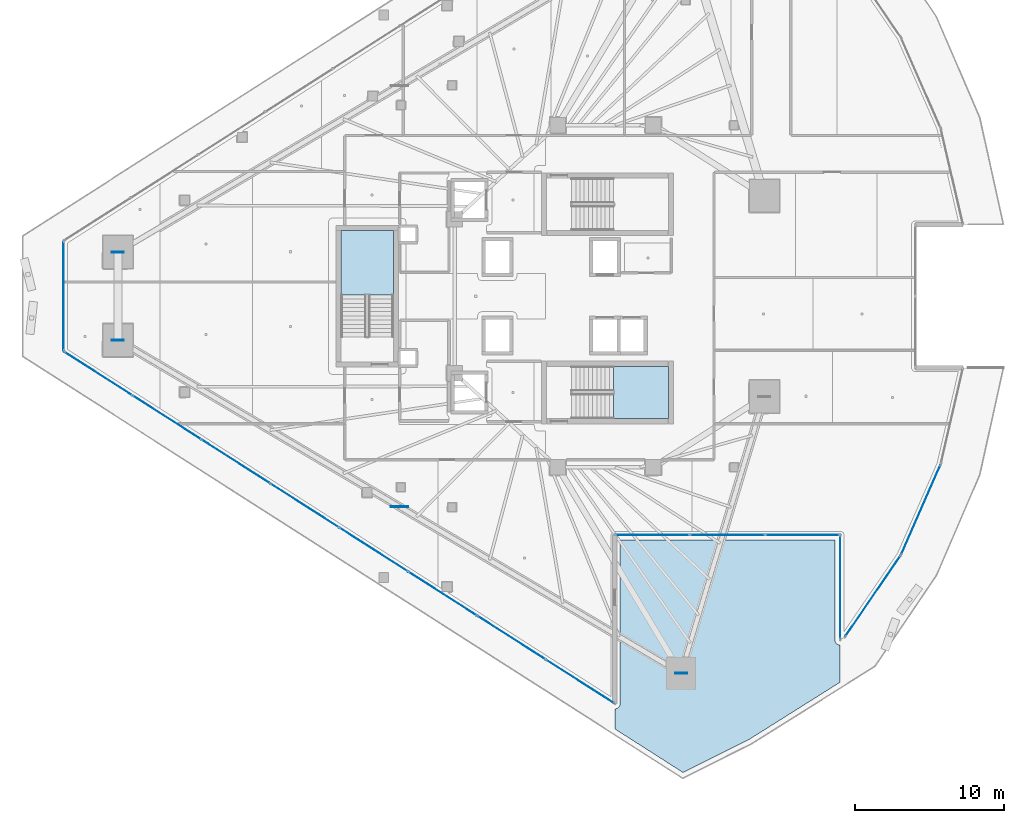
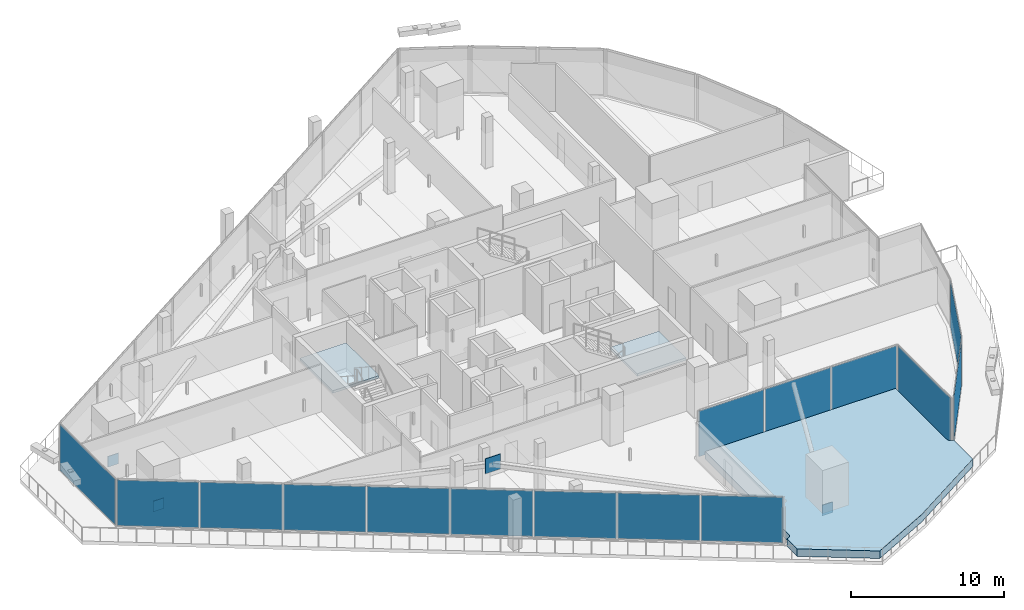
# One storey, part 28 of 43: 19 plates, 3 slabs, 8 elements without a shape of their own.
"""IFC4 building model written with IfcOpenShell, lengths in metres."""

import ifcopenshell
import ifcopenshell.guid

model = None  # the IFC model being written
_history = None  # IfcOwnerHistory: only IFC2X3 demands one
_inside = {}  # id of a spatial element -> (the spatial element, [elements in it])
_under = {}  # id of a project, library or spatial element -> (it, [spatial elements below it])
_declared = {}  # id of a project -> (the project, [libraries it declares])
_typed = {}  # id of a type object -> (the type object, [elements of that type])
_made_of = {}  # id of a material, layer set ... -> (it, [elements and type objects made of it])


def new_model(schema):
    """Start an empty IFC model of exactly this schema.

    Asked for "IFC4X3", IfcOpenShell would pick the latest addendum, in which some entities
    have other attributes; the version numbers below select the first issue.
    IFC2X3 requires an IfcOwnerHistory on every rooted entity: one is made here for all.
    """
    global model, _history
    if schema == "IFC4X3":
        model = ifcopenshell.file(schema_version=(4, 3, 0, 0))
    else:
        model = ifcopenshell.file(schema=schema)
    _inside.clear()
    _under.clear()
    _declared.clear()
    _typed.clear()
    _made_of.clear()
    _history = None
    if model.schema == "IFC2X3":
        org = make("IfcOrganization", Name="unknown")
        user = make(
            "IfcPersonAndOrganization",
            ThePerson=make("IfcPerson", FamilyName="unknown"),
            TheOrganization=org,
        )
        app = make(
            "IfcApplication",
            ApplicationDeveloper=org,
            Version="unknown",
            ApplicationFullName="unknown",
            ApplicationIdentifier="unknown",
        )
        _history = make(
            "IfcOwnerHistory",
            OwningUser=user,
            OwningApplication=app,
            ChangeAction="ADDED",
            CreationDate=0,
        )
    return model


def make(cls, **values):
    """One entity of the class cls with the attributes given. An attribute that is None is left unset."""
    return model.create_entity(
        cls, **{name: value for name, value in values.items() if value is not None}
    )


def rooted(cls, **values):
    """An entity with a GlobalId (a new one), such as an element, a storey or a relation."""
    return make(cls, GlobalId=ifcopenshell.guid.new(), OwnerHistory=_history, **values)


def si_unit(unit_type, name, prefix=None):
    """IfcSIUnit, for example si_unit("LENGTHUNIT", "METRE", prefix="MILLI")."""
    return make("IfcSIUnit", UnitType=unit_type, Prefix=prefix, Name=name)


def assignment(units):
    """IfcUnitAssignment: the units of a project."""
    return None if units is None else make("IfcUnitAssignment", Units=units)


def point(xyz):
    """IfcCartesianPoint."""
    return None if xyz is None else make("IfcCartesianPoint", Coordinates=xyz)


def direction(xyz):
    """IfcDirection."""
    return None if xyz is None else make("IfcDirection", DirectionRatios=xyz)


def frame(location, z_axis=None, x_axis=None):
    """IfcAxis2Placement3D, a coordinate frame: its origin and axes. An axis left out is left unset."""
    return make(
        "IfcAxis2Placement3D",
        Location=point(location),
        Axis=direction(z_axis),
        RefDirection=direction(x_axis),
    )


def frame_2d(location, x_axis=None):
    """IfcAxis2Placement2D, a coordinate frame in the plane: its origin and x axis."""
    return make(
        "IfcAxis2Placement2D", Location=point(location), RefDirection=direction(x_axis)
    )


def origin():
    """The frame at (0, 0, 0) with its axes left unset."""
    return frame((0.0, 0.0, 0.0))


def origin_2d():
    """The frame at (0, 0) in the plane with its x axis left unset."""
    return frame_2d((0.0, 0.0))


def place(relative_to, where):
    """IfcLocalPlacement: puts the frame where relative to a parent placement (None: the world)."""
    return make(
        "IfcLocalPlacement", PlacementRelTo=relative_to, RelativePlacement=where
    )


def context(
    kind, dimensions, precision=None, world=None, true_north=None, identifier=None
):
    """IfcGeometricRepresentationContext, for example the 3D "Model" context."""
    return make(
        "IfcGeometricRepresentationContext",
        ContextIdentifier=identifier,
        ContextType=kind,
        CoordinateSpaceDimension=dimensions,
        Precision=precision,
        WorldCoordinateSystem=world,
        TrueNorth=true_north,
    )


def subcontext(parent, identifier, kind, view, scale=None):
    """IfcGeometricRepresentationSubContext, for example "Body" below "Model"."""
    return make(
        "IfcGeometricRepresentationSubContext",
        ContextIdentifier=identifier,
        ContextType=kind,
        ParentContext=parent,
        TargetScale=scale,
        TargetView=view,
    )


def project(units=None, contexts=None):
    """IfcProject with its units and contexts."""
    return rooted(
        "IfcProject",
        Name="project",
        RepresentationContexts=contexts,
        UnitsInContext=assignment(units),
    )


def spatial(cls, under=None, at=None, **own):
    """A site, building, storey or space (cls), placed at a placement, below another one or the project."""
    s = rooted(cls, ObjectPlacement=at, **own)
    if under is not None:
        _under.setdefault(under.id(), (under, []))[1].append(s)
    return s


def polyline(points):
    """IfcPolyline through the points."""
    return make("IfcPolyline", Points=[point(p) for p in points])


def profile(cls, at=None, kind="AREA", **sizes):
    """A parametric profile (cls). Its sizes go by their IFC names, for example OverallWidth=200.0."""
    return make(cls, ProfileType=kind, Position=at, **sizes)


def rectangle(**sizes):
    """IfcRectangleProfileDef."""
    return profile("IfcRectangleProfileDef", **sizes)


def outline(outer, holes=None, kind="AREA"):
    """IfcArbitraryClosedProfileDef: a profile drawn as a closed curve; with holes, ...WithVoids."""
    if holes is None:
        return make("IfcArbitraryClosedProfileDef", ProfileType=kind, OuterCurve=outer)
    return make(
        "IfcArbitraryProfileDefWithVoids",
        ProfileType=kind,
        OuterCurve=outer,
        InnerCurves=holes,
    )


def extrude(swept, where, along, depth):
    """IfcExtrudedAreaSolid: the profile swept, set in the frame where, extruded along a direction by depth."""
    return make(
        "IfcExtrudedAreaSolid",
        SweptArea=swept,
        Position=where,
        ExtrudedDirection=direction(along),
        Depth=depth,
    )


def shape(context_of_items, identifier, shape_type, items):
    """IfcShapeRepresentation: the items that make up one representation, for example the "Body"."""
    return make(
        "IfcShapeRepresentation",
        ContextOfItems=context_of_items,
        RepresentationIdentifier=identifier,
        RepresentationType=shape_type,
        Items=items,
    )


def material(Name=None, Category=None):
    """IfcMaterial."""
    return make("IfcMaterial", Name=Name, Category=Category)


def layer(
    of_material, thickness, ventilated=None, Name=None, Category=None, Priority=None
):
    """IfcMaterialLayer: one layer of a wall or slab, of a material (None: an air gap)."""
    return make(
        "IfcMaterialLayer",
        Material=of_material,
        LayerThickness=thickness,
        IsVentilated=ventilated,
        Name=Name,
        Category=Category,
        Priority=Priority,
    )


def layer_set(layers, Name=None):
    """IfcMaterialLayerSet."""
    return make("IfcMaterialLayerSet", MaterialLayers=layers, LayerSetName=Name)


def made_of(thing, what):
    """Note that an element or type object is made of a material, layer set ...; save() writes the relation."""
    if what is not None:
        _made_of.setdefault(what.id(), (what, []))[1].append(thing)
    return thing


def type_object(cls, material=None, **own):
    """A type object (cls), such as IfcWallType, which elements share."""
    return made_of(rooted(cls, **own), material)


def element(
    cls,
    number,
    at=None,
    inside=None,
    cuts=None,
    type_object=None,
    material=None,
    context=None,
    identifier="Body",
    shape_type=None,
    held_by="IfcProductDefinitionShape",
    body=None,
    shapes=None,
    **own,
):
    """One element of the class cls, such as IfcWall. Its Tag is "e" and its number.

    at: its placement. inside: the storey or other place that contains it. cuts: it is an
    opening in that element (IfcRelVoidsElement). A single representation is given by context,
    identifier, shape_type and body (its items); several are given by shapes. held_by: the class
    of the entity that holds the representations. save() writes the other relations.
    """
    e = rooted(cls, Tag="e%d" % number, ObjectPlacement=at, **own)
    if body is not None:
        shapes = [shape(context, identifier, shape_type, body)]
    if shapes is not None:
        e.Representation = make(held_by, Representations=shapes)
    if inside is not None:
        _inside.setdefault(inside.id(), (inside, []))[1].append(e)
    if cuts is not None:
        rooted(
            "IfcRelVoidsElement", RelatingBuildingElement=cuts, RelatedOpeningElement=e
        )
    if type_object is not None:
        _typed.setdefault(type_object.id(), (type_object, []))[1].append(e)
    return made_of(e, material)


def aggregate(whole, parts):
    """IfcRelAggregates: a whole, such as a stair, and the parts it consists of."""
    return rooted("IfcRelAggregates", RelatingObject=whole, RelatedObjects=parts)


def save(model, path):
    """Write the relations noted so far, then the file.

    IfcRelAggregates (storeys below a building ...), IfcRelContainedInSpatialStructure (elements
    in a storey), IfcRelDefinesByType, IfcRelAssociatesMaterial and IfcRelDeclares: one each for
    every whole, place, type object, material and project.
    """
    for whole, parts in _under.values():
        aggregate(whole, parts)
    for where, things in _inside.values():
        rooted(
            "IfcRelContainedInSpatialStructure",
            RelatedElements=things,
            RelatingStructure=where,
        )
    for kind, things in _typed.values():
        rooted("IfcRelDefinesByType", RelatedObjects=things, RelatingType=kind)
    for what, things in _made_of.values():
        rooted("IfcRelAssociatesMaterial", RelatedObjects=things, RelatingMaterial=what)
    for by, libraries in _declared.values():
        rooted("IfcRelDeclares", RelatingContext=by, RelatedDefinitions=libraries)
    model.write(path)


model = new_model("IFC4")

# Units and contexts
model_context = context("Model", 3, precision=1e-05, world=origin(), true_north=direction((0.0, 1.0)))
body_context = subcontext(model_context, "Body", "Model", "MODEL_VIEW")
ifc_project = project(units=[si_unit("LENGTHUNIT", "METRE"), si_unit("AREAUNIT", "SQUARE_METRE"), si_unit("VOLUMEUNIT", "CUBIC_METRE"), si_unit("PLANEANGLEUNIT", "RADIAN"), si_unit("MASSUNIT", "GRAM", prefix="KILO")], contexts=[model_context])

# Site, building, storey
site_placement = place(None, origin())
site = spatial("IfcSite", under=ifc_project, at=site_placement, CompositionType="ELEMENT")
building_placement = place(site_placement, origin())
building = spatial("IfcBuilding", under=site, at=building_placement, Name="Qorvath Tower", CompositionType="ELEMENT")
storey_placement = place(building_placement, frame((0.0, 0.0, 150.300048828125)))
storey = spatial("IfcBuildingStorey", under=building, at=storey_placement, Name="L34", CompositionType="ELEMENT", Elevation=150.300048828125)

# Curtain wall, plates
ifc_material_1 = material(Name="Anodised aluminium and triple low-E glass", Category="aluminium")
ifc_layer_1 = layer(ifc_material_1, 0.179931640625)
ifc_layer_set_1 = layer_set([ifc_layer_1], Name="CW-SYS-5")
curtain_wall_type = type_object("IfcCurtainWallType", Name="CW-SYS-5", PredefinedType="NOTDEFINED", material=ifc_layer_set_1)
curtain_wall_1_placement = place(storey_placement, origin())
curtain_wall_1 = element("IfcCurtainWall", 1, at=curtain_wall_1_placement, inside=storey, type_object=curtain_wall_type, Name="Curtain Wall CW-5 CW-T-L34-2.1", PredefinedType="NOTDEFINED")
ifc_material_2 = material(Name="Low-E triple insulated glass", Category="glass")
ifc_layer_2 = layer(ifc_material_2, 0.031982421875)
ifc_layer_set_2 = layer_set([ifc_layer_2], Name="CWP-GLZ-32")
plate_type_1 = type_object("IfcPlateType", Name="CWP-GLZ-32", PredefinedType="CURTAIN_PANEL", material=ifc_layer_set_2)
plate_1_placement = place(storey_placement, frame((-17.249267578125, -15.98388671875, 0.06494140625), z_axis=(0.0, 0.0, 1.0), x_axis=(1.0, 0.0, 0.0)))
plate_1 = element("IfcPlate", 2, at=plate_1_placement, type_object=plate_type_1, Name="CW-5 panel 1.1", PredefinedType="CURTAIN_PANEL", context=body_context, shape_type="SweptSolid", body=[
    extrude(rectangle(XDim=4.91943359375, YDim=0.031982421875, at=origin_2d()), origin(), (0.0, 0.0, 1.0), 3.650146484375),
])
plate_2_placement = place(storey_placement, frame((-12.23583984375, -15.98388671875, 0.06494140625), z_axis=(0.0, 0.0, 1.0), x_axis=(1.0, 0.0, 0.0)))
plate_2 = element("IfcPlate", 3, at=plate_2_placement, type_object=plate_type_1, Name="CW-5 panel 2.1", PredefinedType="CURTAIN_PANEL", context=body_context, shape_type="SweptSolid", body=[
    extrude(rectangle(XDim=4.95703125, YDim=0.031982421875, at=origin_2d()), origin(), (0.0, 0.0, 1.0), 3.650146484375),
])
plate_3_placement = place(storey_placement, frame((-7.22265625, -15.98388671875, 0.06494140625), z_axis=(0.0, 0.0, 1.0), x_axis=(1.0, 0.0, 0.0)))
plate_3 = element("IfcPlate", 4, at=plate_3_placement, type_object=plate_type_1, Name="CW-5 panel 3.1", PredefinedType="CURTAIN_PANEL", context=body_context, shape_type="SweptSolid", body=[
    extrude(rectangle(XDim=4.91943359375, YDim=0.031982421875, at=origin_2d()), origin(), (0.0, 0.0, 1.0), 3.650146484375),
])
aggregate(curtain_wall_1, [plate_1, plate_2, plate_3])

# Curtain wall, plate
curtain_wall_2_placement = place(storey_placement, origin())
curtain_wall_2 = element("IfcCurtainWall", 5, at=curtain_wall_2_placement, inside=storey, type_object=curtain_wall_type, Name="Curtain Wall CW-5 CW-T-L34-3.1", PredefinedType="NOTDEFINED")
plate_4_placement = place(storey_placement, frame((-4.68798828125, -19.498779296875, 0.06494140625), z_axis=(0.0, 0.0, 1.0), x_axis=(0.0, -1.0, 0.0)))
plate_4 = element("IfcPlate", 6, at=plate_4_placement, type_object=plate_type_1, Name="CW-5 panel 1.1", PredefinedType="CURTAIN_PANEL", context=body_context, shape_type="SweptSolid", body=[
    extrude(rectangle(XDim=6.8798828125, YDim=0.031982421875, at=origin_2d()), origin(), (0.0, 0.0, 1.0), 3.650146484375),
])
aggregate(curtain_wall_2, [plate_4])

curtain_wall_3_placement = place(storey_placement, origin())
curtain_wall_3 = element("IfcCurtainWall", 7, at=curtain_wall_3_placement, inside=storey, type_object=curtain_wall_type, Name="Curtain Wall CW-5 CW-T-L34-5.1", PredefinedType="NOTDEFINED")
plate_5_placement = place(storey_placement, frame((-2.500732421875, -20.07763671875, 0.06494140625), z_axis=(0.0, 0.0, 1.0), x_axis=(0.564284140416, 0.825580649528, 0.0)))
plate_5 = element("IfcPlate", 8, at=plate_5_placement, type_object=plate_type_1, Name="CW-5 panel 1.1", PredefinedType="CURTAIN_PANEL", context=body_context, shape_type="SweptSolid", body=[
    extrude(rectangle(XDim=6.48681640625, YDim=0.031982421875, at=origin_2d()), origin(), (0.0, 0.0, 1.0), 3.650146484375),
])
aggregate(curtain_wall_3, [plate_5])

curtain_wall_4_placement = place(storey_placement, origin())
curtain_wall_4 = element("IfcCurtainWall", 9, at=curtain_wall_4_placement, inside=storey, type_object=curtain_wall_type, Name="Curtain Wall CW-5 CW-T-L34-6.1", PredefinedType="NOTDEFINED")
plate_6_placement = place(storey_placement, frame((0.70556640625, -14.299560546875, 0.06494140625), z_axis=(0.0, 0.0, 1.0), x_axis=(0.401902246365, 0.91568257839, 0.0)))
plate_6 = element("IfcPlate", 10, at=plate_6_placement, type_object=plate_type_1, Name="CW-5 panel 1.1", PredefinedType="CURTAIN_PANEL", context=body_context, shape_type="SweptSolid", body=[
    extrude(rectangle(XDim=6.486572265625, YDim=0.031982421875, at=origin_2d()), origin(), (0.0, 0.0, 1.0), 3.650146484375),
])
aggregate(curtain_wall_4, [plate_6])

curtain_wall_5_placement = place(storey_placement, origin())
curtain_wall_5 = element("IfcCurtainWall", 11, at=curtain_wall_5_placement, inside=storey, type_object=curtain_wall_type, Name="Curtain Wall CW-5 CW-T-L34-17.1", PredefinedType="NOTDEFINED")
plate_7_placement = place(storey_placement, frame((-56.683837890625, 0.0, 0.06494140625), z_axis=(0.0, 0.0, 1.0), x_axis=(0.0, -1.0, 0.0)))
plate_7 = element("IfcPlate", 12, at=plate_7_placement, type_object=plate_type_1, Name="CW-5 panel 1.1", PredefinedType="CURTAIN_PANEL", context=body_context, shape_type="SweptSolid", body=[
    extrude(rectangle(XDim=7.256103515625, YDim=0.031982421875, at=origin_2d()), origin(), (0.0, 0.0, 1.0), 3.650146484375),
])
aggregate(curtain_wall_5, [plate_7])

# Curtain wall, plates
curtain_wall_6_placement = place(storey_placement, origin())
curtain_wall_6 = element("IfcCurtainWall", 13, at=curtain_wall_6_placement, inside=storey, type_object=curtain_wall_type, Name="Curtain Wall CW-5 CW-T-L34-18.1", PredefinedType="NOTDEFINED")
plate_8_placement = place(storey_placement, frame((-54.36181640625, -5.187255859375, 0.06494140625), z_axis=(0.0, 0.0, 1.0), x_axis=(0.842602343989, -0.538536247531, 0.0)))
plate_8 = element("IfcPlate", 14, at=plate_8_placement, type_object=plate_type_1, Name="CW-5 panel 1.1", PredefinedType="CURTAIN_PANEL", context=body_context, shape_type="SweptSolid", body=[
    extrude(rectangle(XDim=5.361572265625, YDim=0.031982421875, at=origin_2d()), origin(), (0.0, 0.0, 1.0), 3.650146484375),
])
plate_9_placement = place(storey_placement, frame((-49.76513671875, -8.125, 0.06494140625), z_axis=(0.0, 0.0, 1.0), x_axis=(0.842602343989, -0.538536247531, 0.0)))
plate_9 = element("IfcPlate", 15, at=plate_9_placement, type_object=plate_type_1, Name="CW-5 panel 2.1", PredefinedType="CURTAIN_PANEL", context=body_context, shape_type="SweptSolid", body=[
    extrude(rectangle(XDim=5.399169921875, YDim=0.031982421875, at=origin_2d()), origin(), (0.0, 0.0, 1.0), 3.650146484375),
])
plate_10_placement = place(storey_placement, frame((-45.152587890625, -11.072998046875, 0.06494140625), z_axis=(0.0, 0.0, 1.0), x_axis=(0.842602343989, -0.538536247531, 0.0)))
plate_10 = element("IfcPlate", 16, at=plate_10_placement, type_object=plate_type_1, Name="CW-5 panel 3.1", PredefinedType="CURTAIN_PANEL", context=body_context, shape_type="SweptSolid", body=[
    extrude(rectangle(XDim=5.399169921875, YDim=0.031982421875, at=origin_2d()), origin(), (0.0, 0.0, 1.0), 3.650146484375),
])
plate_11_placement = place(storey_placement, frame((-40.5400390625, -14.02099609375, 0.06494140625), z_axis=(0.0, 0.0, 1.0), x_axis=(0.842602343989, -0.538536247531, 0.0)))
plate_11 = element("IfcPlate", 17, at=plate_11_placement, type_object=plate_type_1, Name="CW-5 panel 4.1", PredefinedType="CURTAIN_PANEL", context=body_context, shape_type="SweptSolid", body=[
    extrude(rectangle(XDim=5.399169921875, YDim=0.031982421875, at=origin_2d()), origin(), (0.0, 0.0, 1.0), 3.650146484375),
])
plate_12_placement = place(storey_placement, frame((-35.927490234375, -16.968994140625, 0.06494140625), z_axis=(0.0, 0.0, 1.0), x_axis=(0.842602343989, -0.538536247531, 0.0)))
plate_12 = element("IfcPlate", 18, at=plate_12_placement, type_object=plate_type_1, Name="CW-5 panel 5.1", PredefinedType="CURTAIN_PANEL", context=body_context, shape_type="SweptSolid", body=[
    extrude(rectangle(XDim=5.399169921875, YDim=0.031982421875, at=origin_2d()), origin(), (0.0, 0.0, 1.0), 3.650146484375),
])
plate_13_placement = place(storey_placement, frame((-31.315185546875, -19.9169921875, 0.06494140625), z_axis=(0.0, 0.0, 1.0), x_axis=(0.842602343989, -0.538536247531, 0.0)))
plate_13 = element("IfcPlate", 19, at=plate_13_placement, type_object=plate_type_1, Name="CW-5 panel 6.1", PredefinedType="CURTAIN_PANEL", context=body_context, shape_type="SweptSolid", body=[
    extrude(rectangle(XDim=5.399169921875, YDim=0.031982421875, at=origin_2d()), origin(), (0.0, 0.0, 1.0), 3.650146484375),
])
plate_14_placement = place(storey_placement, frame((-26.70263671875, -22.864990234375, 0.06494140625), z_axis=(0.0, 0.0, 1.0), x_axis=(0.842602343989, -0.538536247531, 0.0)))
plate_14 = element("IfcPlate", 20, at=plate_14_placement, type_object=plate_type_1, Name="CW-5 panel 7.1", PredefinedType="CURTAIN_PANEL", context=body_context, shape_type="SweptSolid", body=[
    extrude(rectangle(XDim=5.399169921875, YDim=0.031982421875, at=origin_2d()), origin(), (0.0, 0.0, 1.0), 3.650146484375),
])
plate_15_placement = place(storey_placement, frame((-22.10595703125, -25.802978515625, 0.06494140625), z_axis=(0.0, 0.0, 1.0), x_axis=(0.842602343989, -0.538536247531, 0.0)))
plate_15 = element("IfcPlate", 21, at=plate_15_placement, type_object=plate_type_1, Name="CW-5 panel 8.1", PredefinedType="CURTAIN_PANEL", context=body_context, shape_type="SweptSolid", body=[
    extrude(rectangle(XDim=5.361572265625, YDim=0.031982421875, at=origin_2d()), origin(), (0.0, 0.0, 1.0), 3.650146484375),
])
aggregate(curtain_wall_6, [plate_8, plate_9, plate_10, plate_11, plate_12, plate_13, plate_14, plate_15])

# Plates
ifc_material_3 = material(Name="Steel ASTM A572 Grade 50", Category="steel")
ifc_layer_3 = layer(ifc_material_3, 0.054931640625)
ifc_layer_set_3 = layer_set([ifc_layer_3], Name="PL-MBN1")
plate_type_2 = type_object("IfcPlateType", Name="PL-MBN1", PredefinedType="USERDEFINED", material=ifc_layer_set_3)
plate_16_placement = place(storey_placement, frame((-34.19677734375, -14.098388671875, 2.830078125), z_axis=(0.0, 0.0, 1.0), x_axis=(1.0, 0.0, 0.0)))
element("IfcPlate", 22, at=plate_16_placement, inside=storey, type_object=plate_type_2, Name="Mega-Brace Chevron Apex Gusset L34-2", ObjectType="GUSSET", PredefinedType="USERDEFINED", context=body_context, shape_type="SweptSolid", body=[
    extrude(rectangle(XDim=1.14990234375, YDim=0.054931640625, at=origin_2d()), origin(), (0.0, 0.0, 1.0), 1.199951171875),
])
for number, where, z_axis, x_axis, name in (
    (23, (-53.04931640625, 2.95068359375, -0.425048828125), (0.0, 0.0, 1.0), (1.0, 0.0, 0.0), "Brace Strut End Gusset Plate NDBG-098"),
    (24, (-53.04931640625, -2.95068359375, -0.425048828125), (0.0, 0.0, 1.0), (1.0, 0.0, 0.0), "Brace Strut End Gusset Plate NDBG-099"),
    (25, (-15.34423828125, -25.24609375, -0.425048828125), (0.0, 0.0, 1.0), (1.0, 0.0, 0.0), "Brace Strut End Gusset Plate NDBG-100"),
):
    element("IfcPlate", number, at=place(storey_placement, frame(where, z_axis=z_axis, x_axis=x_axis)), inside=storey, type_object=plate_type_2, Name=name, ObjectType="GUSSET", PredefinedType="USERDEFINED", context=body_context, shape_type="SweptSolid", body=[
        extrude(rectangle(XDim=0.800048828125, YDim=0.054931640625, at=origin_2d()), origin(), (0.0, 0.0, 1.0), 0.85009765625),
    ])

# Stair, slab
ifc_material_4 = material(Name="Concrete C50/60", Category="concrete")
stair_type = type_object("IfcStairType", Name="ST-H405", PredefinedType="HALF_TURN_STAIR", material=ifc_material_4)
stair_1_placement = place(storey_placement, origin())
stair_1 = element("IfcStair", 26, at=stair_1_placement, inside=storey, type_object=stair_type, Name="L34 Tower Exit Stair 2", PredefinedType="HALF_TURN_STAIR")
ifc_material_5 = material(Name="Concrete C50/60", Category="concrete")
ifc_layer_4 = layer(ifc_material_5, 0.199951171875)
ifc_layer_set_4 = layer_set([ifc_layer_4], Name="SL-LND-200")
slab_type_1 = type_object("IfcSlabType", Name="SL-LND-200", PredefinedType="LANDING", material=ifc_layer_set_4)
slab_1_placement = place(storey_placement, frame((0.0, 0.0, 1.824951171875)))
slab_1 = element("IfcSlab", 27, at=slab_1_placement, type_object=slab_type_1, Name="TS2 landing 1", PredefinedType="LANDING", context=body_context, shape_type="SweptSolid", body=[
    extrude(outline(polyline([(-19.8701171875, -8.199951171875), (-16.199951171875, -8.199951171875), (-16.199951171875, -4.68994140625), (-19.8701171875, -4.68994140625), (-19.8701171875, -8.199951171875)])), origin(), (0.0, 0.0, 1.0), 0.199951171875),
])
aggregate(stair_1, [slab_1])

stair_2_placement = place(storey_placement, origin())
stair_2 = element("IfcStair", 28, at=stair_2_placement, inside=storey, type_object=stair_type, Name="L34 Tower Exit Stair 3", PredefinedType="HALF_TURN_STAIR")
slab_2_placement = place(storey_placement, frame((0.0, 0.0, 1.824951171875)))
slab_2 = element("IfcSlab", 29, at=slab_2_placement, type_object=slab_type_1, Name="TS3 landing 1", PredefinedType="LANDING", context=body_context, shape_type="SweptSolid", body=[
    extrude(outline(polyline([(-34.60009765625, 0.080078125), (-34.60009765625, 4.39990234375), (-38.110107421875, 4.39990234375), (-38.110107421875, 0.080078125), (-34.60009765625, 0.080078125)])), origin(), (0.0, 0.0, 1.0), 0.199951171875),
])
aggregate(stair_2, [slab_2])

# Slab
ifc_material_6 = material(Name="Precast concrete C45/55", Category="concrete")
ifc_layer_5 = layer(ifc_material_6, 0.60009765625)
ifc_layer_set_5 = layer_set([ifc_layer_5], Name="SL-PLN-600")
slab_type_2 = type_object("IfcSlabType", Name="SL-PLN-600", PredefinedType="USERDEFINED", material=ifc_layer_set_5)
slab_3_placement = place(storey_placement, origin())
element("IfcSlab", 30, at=slab_3_placement, inside=storey, type_object=slab_type_2, Name="Sky Garden Planted Bed PLANTER L34", ObjectType="PLANTER", PredefinedType="USERDEFINED", context=body_context, shape_type="SweptSolid", body=[
    extrude(outline(polyline([(-19.783935546875, -28.971435546875), (-15.21435546875, -31.89208984375), (-10.793701171875, -29.681884765625), (-4.68798828125, -25.841796875), (-4.68798828125, -23.363525390625), (-4.729736328125, -23.361328125), (-4.76318359375, -23.355712890625), (-4.827392578125, -23.334716796875), (-4.886474609375, -23.302001953125), (-4.938232421875, -23.258544921875), (-4.980712890625, -23.205810546875), (-5.01220703125, -23.14599609375), (-5.031494140625, -23.0810546875), (-5.0380859375, -23.013671875), (-5.0380859375, -16.333984375), (-19.43408203125, -16.333984375), (-19.43408203125, -27.287109375), (-19.440673828125, -27.354736328125), (-19.460205078125, -27.419677734375), (-19.491943359375, -27.479736328125), (-19.53466796875, -27.53271484375), (-19.5869140625, -27.576171875), (-19.646484375, -27.60888671875), (-19.711181640625, -27.62939453125), (-19.744873046875, -27.634765625), (-19.783935546875, -27.63671875), (-19.783935546875, -28.971435546875)])), origin(), (0.0, 0.0, 1.0), 0.599853515625),
])

save(model, "model.ifc")
